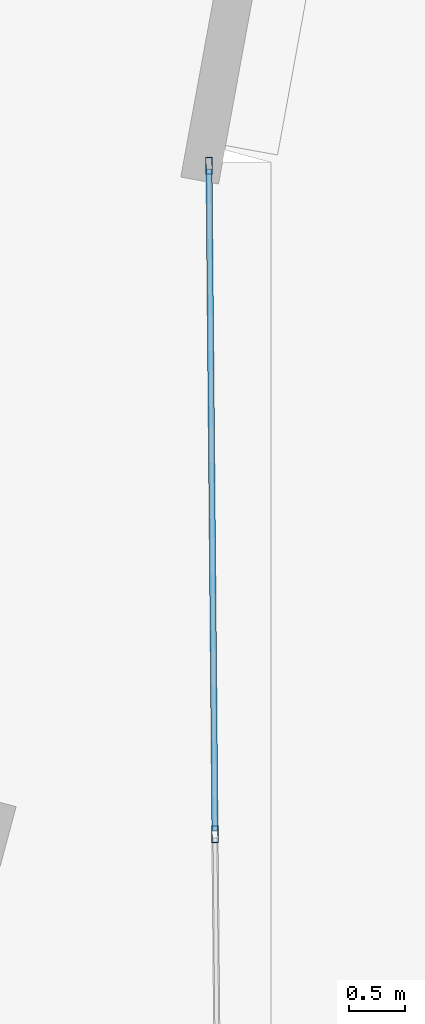
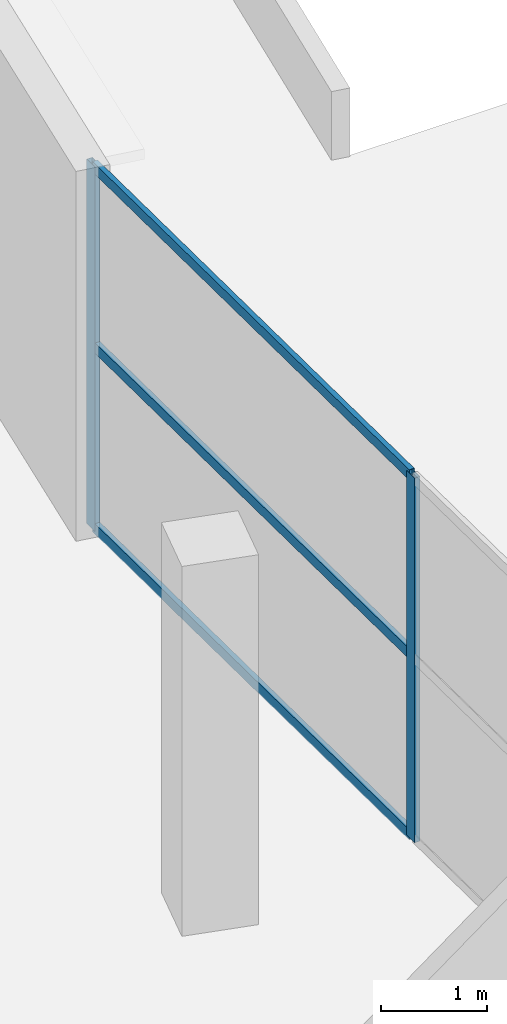
# One storey, part 52 of 107: 5 members, 1 element without a shape of its own.
"""IFC4 building model written with IfcOpenShell, lengths in metres."""

from ifc_helpers import new_model, si_unit, direction, frame, origin, origin_2d, place, context, subcontext, project, spatial, hollow_rectangle, extrude, material, layer, layer_set, material_profile, profile_set, type_object, element, aggregate, save


model = new_model("IFC4")

# Units and contexts
model_context = context("Model", 3, precision=1e-05, world=origin(), true_north=direction((0.0, 1.0)))
body_context = subcontext(model_context, "Body", "Model", "MODEL_VIEW")
ifc_project = project(units=[si_unit("LENGTHUNIT", "METRE"), si_unit("AREAUNIT", "SQUARE_METRE"), si_unit("VOLUMEUNIT", "CUBIC_METRE"), si_unit("PLANEANGLEUNIT", "RADIAN"), si_unit("MASSUNIT", "GRAM", prefix="KILO")], contexts=[model_context])

# Site, building, storey
site_placement = place(None, origin())
site = spatial("IfcSite", under=ifc_project, at=site_placement, CompositionType="ELEMENT")
building_placement = place(site_placement, origin())
building = spatial("IfcBuilding", under=site, at=building_placement, Name="Kalgoora Escarpment Arena", CompositionType="ELEMENT")
storey_placement = place(building_placement, frame((0.0, 0.0, 5.39990234375)))
storey = spatial("IfcBuildingStorey", under=building, at=storey_placement, Name="L01", CompositionType="ELEMENT", Elevation=5.39990234375)

# Curtain wall, members
ifc_material_1 = material(Name=" Champagne anodised aluminium & double-glazed low-E", Category="aluminium")
ifc_layer = layer(ifc_material_1, 0.162109375)
ifc_layer_set = layer_set([ifc_layer], Name="CW-UNIT-18")
curtain_wall_type = type_object("IfcCurtainWallType", Name="CW-UNIT-18", PredefinedType="NOTDEFINED", material=ifc_layer_set)
curtain_wall_placement = place(storey_placement, origin())
curtain_wall = element("IfcCurtainWall", 1, at=curtain_wall_placement, inside=storey, type_object=curtain_wall_type, Name="L01 unitised facade curtain wall 037", PredefinedType="NOTDEFINED")
ifc_material_2 = material(Name="Anodised aluminium 6063-T6", Category="aluminium")
ifc_material_profile_1 = material_profile(ifc_material_2, hollow_rectangle(XDim=0.06005859375, YDim=0.14990234375, WallThickness=0.00341796875, at=origin_2d()))
ifc_profile_set_1 = profile_set([ifc_material_profile_1], Name="Anodised aluminium 6063-T6")
member_type_1 = type_object("IfcMemberType", Name="MEM-CW-MULL-150", PredefinedType="MULLION", material=ifc_profile_set_1)
member_1_placement = place(storey_placement, frame((177.45068359375, 53.968994140625, 0.02001953125), z_axis=(0.0, 0.0, 1.0), x_axis=(0.999959915577, 0.008953615986, 0.0)))
member_1 = element("IfcMember", 2, at=member_1_placement, type_object=member_type_1, Name="CW-18 mullion 1", PredefinedType="MULLION", context=body_context, shape_type="SweptSolid", body=[
    extrude(hollow_rectangle(XDim=0.06005859375, YDim=0.14990234375, WallThickness=0.00341796875, at=origin_2d()), origin(), (0.0, 0.0, 1.0), 4.2001953125),
])
member_2_placement = place(storey_placement, frame((177.50390625, 48.02392578125, 0.02001953125), z_axis=(0.0, 0.0, 1.0), x_axis=(0.999959915577, 0.008953615986, 0.0)))
member_2 = element("IfcMember", 3, at=member_2_placement, type_object=member_type_1, Name="CW-18 mullion 2", PredefinedType="MULLION", context=body_context, shape_type="SweptSolid", body=[
    extrude(hollow_rectangle(XDim=0.06005859375, YDim=0.14990234375, WallThickness=0.00341796875, at=origin_2d()), origin(), (0.0, 0.0, 1.0), 4.2001953125),
])
ifc_material_3 = material(Name="Anodised aluminium 6063-T6", Category="aluminium")
ifc_material_profile_2 = material_profile(ifc_material_3, hollow_rectangle(XDim=0.054931640625, YDim=0.1201171875, WallThickness=0.003173828125, at=origin_2d()))
ifc_profile_set_2 = profile_set([ifc_material_profile_2], Name="Anodised aluminium 6063-T6")
member_type_2 = type_object("IfcMemberType", Name="MEM-CW-TRAN-120", PredefinedType="USERDEFINED", material=ifc_profile_set_2)
member_3_placement = place(storey_placement, frame((177.450927734375, 53.93896484375, 0.047607421875), z_axis=(0.008918956583, -0.999960225316, 0.0), x_axis=(0.999960225316, 0.008918956583, 0.0)))
member_3 = element("IfcMember", 4, at=member_3_placement, type_object=member_type_2, Name="CW-18 transom 1.1", ObjectType="TRANSOM", PredefinedType="USERDEFINED", context=body_context, shape_type="SweptSolid", body=[
    extrude(hollow_rectangle(XDim=0.054931640625, YDim=0.1201171875, WallThickness=0.003173828125, at=origin_2d()), origin(), (0.0, 0.0, 1.0), 5.88525390625),
])
member_4_placement = place(storey_placement, frame((177.450927734375, 53.93896484375, 2.130126953125), z_axis=(0.008918956583, -0.999960225316, 0.0), x_axis=(0.999960225316, 0.008918956583, 0.0)))
member_4 = element("IfcMember", 5, at=member_4_placement, type_object=member_type_2, Name="CW-18 transom 1.2", ObjectType="TRANSOM", PredefinedType="USERDEFINED", context=body_context, shape_type="SweptSolid", body=[
    extrude(hollow_rectangle(XDim=0.054931640625, YDim=0.1201171875, WallThickness=0.003173828125, at=origin_2d()), origin(), (0.0, 0.0, 1.0), 5.88525390625),
])
member_5_placement = place(storey_placement, frame((177.450927734375, 53.93896484375, 4.192626953125), z_axis=(0.008918956583, -0.999960225316, 0.0), x_axis=(0.999960225316, 0.008918956583, 0.0)))
member_5 = element("IfcMember", 6, at=member_5_placement, type_object=member_type_2, Name="CW-18 transom 1.3", ObjectType="TRANSOM", PredefinedType="USERDEFINED", context=body_context, shape_type="SweptSolid", body=[
    extrude(hollow_rectangle(XDim=0.054931640625, YDim=0.1201171875, WallThickness=0.003173828125, at=origin_2d()), origin(), (0.0, 0.0, 1.0), 5.88525390625),
])
aggregate(curtain_wall, [member_1, member_2, member_3, member_4, member_5])

save(model, "model.ifc")
